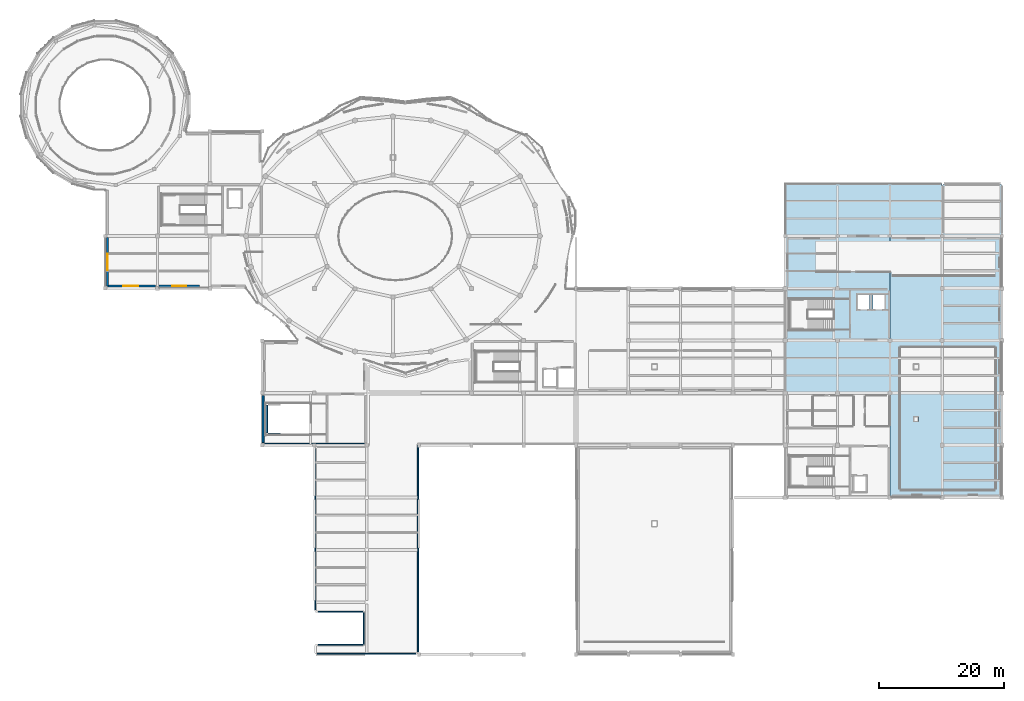
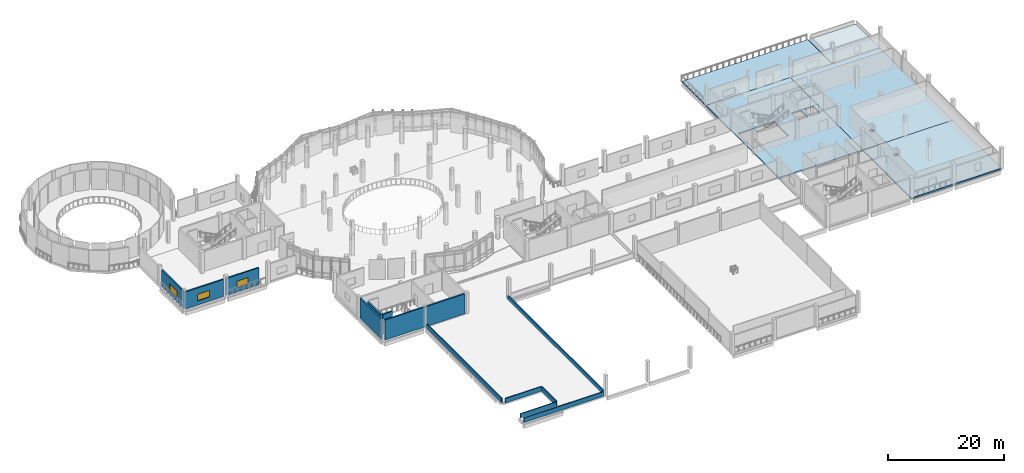
# One storey, part 26 of 46: 13 walls, 5 slabs, 3 windows, 3 openings.
"""IFC4 building model written with IfcOpenShell, lengths in metres."""

from ifc_helpers import new_model, si_unit, derived_unit, direction, frame, frame_2d, origin, place, context, subcontext, project, spatial, polyline, rectangle, outline, extrude, material, layer, layer_set, type_object, element, fill, save


model = new_model("IFC4")

# Units and contexts
model_context = context("Model", 3, precision=1e-05, world=origin(), true_north=direction((0.0, 1.0)))
body_context = subcontext(model_context, "Body", "Model", "MODEL_VIEW")
ifc_project = project(units=[si_unit("LENGTHUNIT", "METRE"), si_unit("AREAUNIT", "SQUARE_METRE"), si_unit("VOLUMEUNIT", "CUBIC_METRE"), si_unit("PLANEANGLEUNIT", "RADIAN"), si_unit("MASSUNIT", "GRAM", prefix="KILO"), derived_unit("THERMALTRANSMITTANCEUNIT", [(si_unit("POWERUNIT", "WATT"), 1), (si_unit("LENGTHUNIT", "METRE"), -2), (si_unit("THERMODYNAMICTEMPERATUREUNIT", "KELVIN"), -1)])], contexts=[model_context])

# Site, building, storey
site_placement = place(None, origin())
site = spatial("IfcSite", under=ifc_project, at=site_placement, CompositionType="ELEMENT")
building_placement = place(site_placement, origin())
building = spatial("IfcBuilding", under=site, at=building_placement, Name="Elbkamm Science Centre", CompositionType="ELEMENT")
storey_placement = place(building_placement, frame((0.0, 0.0, 9.89990234375)))
storey = spatial("IfcBuildingStorey", under=building, at=storey_placement, Name="L02", CompositionType="ELEMENT", Elevation=9.89990234375)

# Slabs
ifc_material_1 = material(Name="Exposed freeze-thaw concrete C40/50", Category="concrete")
ifc_layer_1 = layer(ifc_material_1, 0.219970703125)
ifc_layer_set_1 = layer_set([ifc_layer_1], Name="Exposed freeze-thaw concrete C40/50")
slab_type_1 = type_object("IfcSlabType", Name="SLAB-DECK-220", PredefinedType="FLOOR", material=ifc_layer_set_1)
slab_1_placement = place(storey_placement, frame((0.0, 0.0, -0.219970703125)))
element("IfcSlab", 1, at=slab_1_placement, inside=storey, type_object=slab_type_1, Name="North Laboratory Roof Terrace", PredefinedType="FLOOR", context=body_context, shape_type="SweptSolid", body=[
    extrude(outline(polyline([(151.199951171875, 75.60009765625), (151.199951171875, 67.205078125), (126.02490234375, 67.205078125), (126.02490234375, 75.60009765625), (151.199951171875, 75.60009765625)])), origin(), (0.0, 0.0, 1.0), 0.219970703125),
])
ifc_material_2 = material(Name="Reinforced concrete C40/50", Category="concrete")
ifc_layer_2 = layer(ifc_material_2, 0.300048828125)
ifc_layer_set_2 = layer_set([ifc_layer_2], Name="Reinforced concrete C40/50")
slab_type_2 = type_object("IfcSlabType", Name="SLAB-FLR-300", PredefinedType="FLOOR", material=ifc_layer_set_2)
slab_2_placement = place(storey_placement, frame((0.0, 0.0, -0.2998046875)))
element("IfcSlab", 2, at=slab_2_placement, inside=storey, type_object=slab_type_2, Name="L02 Structural Slab E1M-09", PredefinedType="FLOOR", context=body_context, shape_type="SweptSolid", body=[
    extrude(outline(polyline([(126.02490234375, 67.199951171875), (142.800048828125, 67.199951171875), (142.800048828125, 42.0), (126.02490234375, 42.0), (126.02490234375, 67.199951171875)]), holes=[polyline([(126.60009765625, 52.080078125), (133.780029296875, 52.080078125), (133.780029296875, 57.1201171875), (126.60009765625, 57.1201171875), (126.60009765625, 52.080078125)]), polyline([(137.64990234375, 55.39990234375), (139.550048828125, 55.39990234375), (139.550048828125, 57.800048828125), (137.64990234375, 57.800048828125), (137.64990234375, 55.39990234375)]), polyline([(140.050048828125, 57.800048828125), (140.050048828125, 55.39990234375), (141.949951171875, 55.39990234375), (141.949951171875, 57.800048828125), (140.050048828125, 57.800048828125)])]), origin(), (0.0, 0.0, 1.0), 0.2998046875),
])
slab_3_placement = place(storey_placement, frame((0.0, 0.0, -0.2998046875)))
element("IfcSlab", 3, at=slab_3_placement, inside=storey, type_object=slab_type_2, Name="L02 Structural Slab E2S-10", PredefinedType="FLOOR", context=body_context, shape_type="SweptSolid", body=[
    extrude(outline(polyline([(142.800048828125, 25.199951171875), (142.800048828125, 42.0), (160.800048828125, 42.0), (160.800048828125, 25.199951171875), (142.800048828125, 25.199951171875)]), holes=[polyline([(147.35009765625, 38.14990234375), (146.64990234375, 38.14990234375), (146.64990234375, 37.449951171875), (147.35009765625, 37.449951171875), (147.35009765625, 38.14990234375)])]), origin(), (0.0, 0.0, 1.0), 0.2998046875),
])
slab_4_placement = place(storey_placement, frame((0.0, 0.0, -0.2998046875)))
element("IfcSlab", 4, at=slab_4_placement, inside=storey, type_object=slab_type_2, Name="L02 Structural Slab E2M-11", PredefinedType="FLOOR", context=body_context, shape_type="SweptSolid", body=[
    extrude(outline(polyline([(142.800048828125, 42.0), (142.800048828125, 67.199951171875), (160.800048828125, 67.199951171875), (160.800048828125, 42.0), (142.800048828125, 42.0)]), holes=[polyline([(147.35009765625, 46.550048828125), (146.64990234375, 46.550048828125), (146.64990234375, 45.85009765625), (147.35009765625, 45.85009765625), (147.35009765625, 46.550048828125)])]), origin(), (0.0, 0.0, 1.0), 0.2998046875),
])
ifc_layer_3 = layer(ifc_material_2, 0.27001953125)
ifc_layer_set_3 = layer_set([ifc_layer_3], Name="Reinforced concrete C40/50")
slab_type_3 = type_object("IfcSlabType", Name="SLAB-ROOF-270", PredefinedType="ROOF", material=ifc_layer_set_3)
slab_5_placement = place(storey_placement, frame((0.0, 0.0, -0.27001953125)))
element("IfcSlab", 5, at=slab_5_placement, inside=storey, type_object=slab_type_3, Name="L02 Step-Back Roof Slab 04", PredefinedType="ROOF", context=body_context, shape_type="SweptSolid", body=[
    extrude(outline(polyline([(160.79150390625, 67.59228515625), (160.780517578125, 67.54931640625), (160.765625, 67.5078125), (160.746826171875, 67.468017578125), (160.72412109375, 67.429931640625), (160.697998046875, 67.39453125), (160.668212890625, 67.36181640625), (160.635498046875, 67.33203125), (160.60009765625, 67.305908203125), (160.56201171875, 67.283203125), (160.522216796875, 67.264404296875), (160.480712890625, 67.24951171875), (160.437744140625, 67.238525390625), (160.39404296875, 67.232177734375), (160.35009765625, 67.22998046875), (151.679931640625, 67.22998046875), (151.635986328125, 67.232177734375), (151.59228515625, 67.238525390625), (151.54931640625, 67.24951171875), (151.5078125, 67.264404296875), (151.468017578125, 67.283203125), (151.429931640625, 67.305908203125), (151.39453125, 67.33203125), (151.36181640625, 67.36181640625), (151.33203125, 67.39453125), (151.305908203125, 67.429931640625), (151.283203125, 67.468017578125), (151.264404296875, 67.5078125), (151.24951171875, 67.54931640625), (151.238525390625, 67.59228515625), (151.232177734375, 67.635986328125), (151.22998046875, 67.679931640625), (151.22998046875, 75.14990234375), (151.232177734375, 75.194091796875), (151.238525390625, 75.23779296875), (151.24951171875, 75.280517578125), (151.264404296875, 75.322265625), (151.283203125, 75.362060546875), (151.305908203125, 75.39990234375), (151.33203125, 75.435546875), (151.36181640625, 75.46826171875), (151.39453125, 75.497802734375), (151.429931640625, 75.524169921875), (151.468017578125, 75.546875), (151.5078125, 75.565673828125), (151.54931640625, 75.58056640625), (151.59228515625, 75.59130859375), (151.635986328125, 75.597900390625), (151.679931640625, 75.60009765625), (160.35009765625, 75.60009765625), (160.39404296875, 75.597900390625), (160.437744140625, 75.59130859375), (160.480712890625, 75.58056640625), (160.522216796875, 75.565673828125), (160.56201171875, 75.546875), (160.60009765625, 75.524169921875), (160.635498046875, 75.497802734375), (160.668212890625, 75.46826171875), (160.697998046875, 75.435546875), (160.72412109375, 75.39990234375), (160.746826171875, 75.362060546875), (160.765625, 75.322265625), (160.780517578125, 75.280517578125), (160.79150390625, 75.23779296875), (160.7978515625, 75.194091796875), (160.800048828125, 75.14990234375), (160.800048828125, 67.679931640625), (160.7978515625, 67.635986328125), (160.79150390625, 67.59228515625)])), origin(), (0.0, 0.0, 1.0), 0.27001953125),
])

# Walls
ifc_layer_4 = layer(ifc_material_2, 0.25)
ifc_layer_set_4 = layer_set([ifc_layer_4], Name="Reinforced concrete C40/50")
wall_type_1 = type_object("IfcWallType", Name="WL-CORE-250", PredefinedType="SHEAR", material=ifc_layer_set_4)
wall_1_placement = place(storey_placement, frame((42.739990234375, 35.6201171875, 0.0), z_axis=(0.0, 0.0, 1.0), x_axis=(0.0, 1.0, 0.0)))
element("IfcWall", 6, at=wall_1_placement, inside=storey, type_object=wall_type_1, Name="L02 ST-C5 Shaft Bearing Wall W", PredefinedType="SHEAR", context=body_context, shape_type="SweptSolid", body=[
    extrude(rectangle(XDim=4.35986328125, YDim=0.25, at=frame_2d((2.179931640625, 0.0))), origin(), (0.0, 0.0, 1.0), 4.22998046875),
])
wall_2_placement = place(storey_placement, frame((42.989990234375, 35.419921875, 0.0), z_axis=(0.0, 0.0, 1.0), x_axis=(1.0, 0.0, 0.0)))
element("IfcWall", 7, at=wall_2_placement, inside=storey, type_object=wall_type_1, Name="L02 ST-C5 Shaft Bearing Wall S", PredefinedType="SHEAR", context=body_context, shape_type="SweptSolid", body=[
    extrude(rectangle(XDim=1.889892578125, YDim=0.25, at=frame_2d((0.94482421875, 0.0))), origin(), (0.0, 0.0, 1.0), 4.22998046875),
])
ifc_layer_5 = layer(ifc_material_2, 0.300048828125)
ifc_layer_set_5 = layer_set([ifc_layer_5], Name="Reinforced concrete C40/50")
wall_type_2 = type_object("IfcWallType", Name="WL-CORE-300", PredefinedType="SHEAR", material=ifc_layer_set_5)
wall_3_placement = place(storey_placement, frame((42.419921875, 33.75, 0.0), z_axis=(0.0, 0.0, 1.0), x_axis=(1.0, 0.0, 0.0)))
element("IfcWall", 8, at=wall_3_placement, inside=storey, type_object=wall_type_2, Name="L02 Core C5 Southwest Plinth Assembly Egress Core Shear Wall S", PredefinedType="SHEAR", context=body_context, shape_type="SweptSolid", body=[
    extrude(rectangle(XDim=15.9599609375, YDim=0.300048828125, at=frame_2d((7.97998046875, 0.0))), origin(), (0.0, 0.0, 1.0), 4.22998046875),
])
wall_4_placement = place(storey_placement, frame((42.14990234375, 34.02001953125, 0.0), z_axis=(0.0, 0.0, 1.0), x_axis=(0.0, 1.0, 0.0)))
element("IfcWall", 9, at=wall_4_placement, inside=storey, type_object=wall_type_2, Name="L02 Core C5 Southwest Plinth Assembly Egress Core Shear Wall W", PredefinedType="SHEAR", context=body_context, shape_type="SweptSolid", body=[
    extrude(rectangle(XDim=7.56005859375, YDim=0.300048828125, at=frame_2d((3.780029296875, 0.0))), origin(), (0.0, 0.0, 1.0), 4.22998046875),
])

# Wall, opening, window
ifc_material_3 = material(Name="White precast concrete C40/50", Category="concrete")
ifc_layer_6 = layer(ifc_material_3, 0.27001953125)
ifc_layer_set_6 = layer_set([ifc_layer_6], Name="White precast concrete C40/50")
wall_type_3 = type_object("IfcWallType", Name="WL-EXT-270", PredefinedType="SOLIDWALL", material=ifc_layer_set_6)
wall_5_placement = place(storey_placement, frame((31.93115234375, 59.179931640625, 0.0), z_axis=(0.0, 0.0, 1.0), x_axis=(-1.0, 0.0, 0.0)))
wall_5 = element("IfcWall", 10, at=wall_5_placement, inside=storey, type_object=wall_type_3, Name="L02 Exterior Wall 0251", PredefinedType="SOLIDWALL", context=body_context, shape_type="SweptSolid", body=[
    extrude(rectangle(XDim=6.491943359375, YDim=0.27001953125, at=frame_2d((3.24609375, 0.0))), origin(), (0.0, 0.0, 1.0), 3.570068359375),
])
opening_1_placement = place(wall_5_placement, frame((2.14599609375, 0.0, 0.85009765625)))
opening_1 = element("IfcOpeningElement", 11, at=opening_1_placement, cuts=wall_5, Name="Opening W-06", PredefinedType="OPENING", context=body_context, shape_type="SweptSolid", body=[
    extrude(rectangle(XDim=2.199951171875, YDim=1.39990234375, at=frame_2d((1.10009765625, 0.699951171875))), frame((0.0, 0.14697265625, 0.0), z_axis=(0.0, -1.0, 0.0), x_axis=(1.0, 0.0, 0.0)), (0.0, 0.0, 1.0), 0.2939453125),
])
ifc_material_4 = material(Name="Thermally broken aluminium and triple solar glass", Category="aluminium")
ifc_layer_7 = layer(ifc_material_4, 0.06005859375)
ifc_layer_set_7 = layer_set([ifc_layer_7], Name="Thermally broken aluminium and triple solar glass")
window_type_1 = type_object("IfcWindowType", Name="WIN-2200x1400", PartitioningType="DOUBLE_PANEL_VERTICAL", PredefinedType="WINDOW", material=ifc_layer_set_7)
window_1_placement = place(opening_1_placement, origin())
window_1 = element("IfcWindow", 12, at=window_1_placement, inside=storey, type_object=window_type_1, Name="L02 Facade Window 0065", OverallHeight=1.39990234375, OverallWidth=2.199951171875, PartitioningType="SINGLE_PANEL", PredefinedType="WINDOW", context=body_context, shape_type="SweptSolid", body=[
    extrude(rectangle(XDim=2.199951171875, YDim=1.39990234375, at=frame_2d((1.10009765625, 0.699951171875))), frame((0.0, 0.030029296875, 0.0), z_axis=(0.0, -1.0, 0.0), x_axis=(1.0, 0.0, 0.0)), (0.0, 0.0, 1.0), 0.06005859375),
])
fill(opening_1, window_1)

wall_6_placement = place(storey_placement, frame((17.179931640625, 59.179931640625, 0.0), z_axis=(0.0, 0.0, 1.0), x_axis=(0.0, 1.0, 0.0)))
wall_6 = element("IfcWall", 13, at=wall_6_placement, inside=storey, type_object=wall_type_3, Name="L02 Exterior Wall 0253", PredefinedType="SOLIDWALL", context=body_context, shape_type="SweptSolid", body=[
    extrude(rectangle(XDim=7.7431640625, YDim=0.27001953125, at=frame_2d((3.87158203125, 0.0))), origin(), (0.0, 0.0, 1.0), 3.580078125),
])
opening_2_placement = place(wall_6_placement, frame((2.53466796875, 0.0, 0.85009765625)))
opening_2 = element("IfcOpeningElement", 14, at=opening_2_placement, cuts=wall_6, Name="Opening W-08", PredefinedType="OPENING", context=body_context, shape_type="SweptSolid", body=[
    extrude(rectangle(XDim=2.60009765625, YDim=1.39990234375, at=frame_2d((1.300048828125, 0.699951171875))), frame((0.0, 0.14697265625, 0.0), z_axis=(0.0, -1.0, 0.0), x_axis=(1.0, 0.0, 0.0)), (0.0, 0.0, 1.0), 0.2939453125),
])
ifc_layer_8 = layer(ifc_material_4, 0.06005859375)
ifc_layer_set_8 = layer_set([ifc_layer_8], Name="Thermally broken aluminium and triple solar glass")
window_type_2 = type_object("IfcWindowType", Name="WIN-2600x1400", PartitioningType="DOUBLE_PANEL_VERTICAL", PredefinedType="WINDOW", material=ifc_layer_set_8)
window_2_placement = place(opening_2_placement, origin())
window_2 = element("IfcWindow", 15, at=window_2_placement, inside=storey, type_object=window_type_2, Name="L02 Facade Window 0067", OverallHeight=1.39990234375, OverallWidth=2.60009765625, PartitioningType="SINGLE_PANEL", PredefinedType="WINDOW", context=body_context, shape_type="SweptSolid", body=[
    extrude(rectangle(XDim=2.60009765625, YDim=1.39990234375, at=frame_2d((1.300048828125, 0.699951171875))), frame((0.0, 0.030029296875, 0.0), z_axis=(0.0, -1.0, 0.0), x_axis=(1.0, 0.0, 0.0)), (0.0, 0.0, 1.0), 0.06005859375),
])
fill(opening_2, window_2)

ifc_layer_9 = layer(ifc_material_3, 0.2900390625)
ifc_layer_set_9 = layer_set([ifc_layer_9], Name="White precast concrete C40/50")
wall_type_4 = type_object("IfcWallType", Name="WL-EXT-290", PredefinedType="SOLIDWALL", material=ifc_layer_set_9)
wall_7_placement = place(storey_placement, frame((24.873046875, 59.179931640625, 0.0), z_axis=(0.0, 0.0, 1.0), x_axis=(-1.0, 0.0, 0.0)))
wall_7 = element("IfcWall", 16, at=wall_7_placement, inside=storey, type_object=wall_type_4, Name="L02 Exterior Wall 0252", PredefinedType="SOLIDWALL", context=body_context, shape_type="SweptSolid", body=[
    extrude(rectangle(XDim=7.693115234375, YDim=0.2900390625, at=frame_2d((3.8466796875, 0.0))), origin(), (0.0, 0.0, 1.0), 3.580078125),
])
opening_3_placement = place(wall_7_placement, frame((2.80517578125, 0.0, 0.85009765625)))
opening_3 = element("IfcOpeningElement", 17, at=opening_3_placement, cuts=wall_7, Name="Opening W-07", PredefinedType="OPENING", context=body_context, shape_type="SweptSolid", body=[
    extrude(rectangle(XDim=2.39990234375, YDim=1.39990234375, at=frame_2d((1.199951171875, 0.699951171875))), frame((0.0, 0.156982421875, 0.0), z_axis=(0.0, -1.0, 0.0), x_axis=(1.0, 0.0, 0.0)), (0.0, 0.0, 1.0), 0.31396484375),
])
ifc_layer_10 = layer(ifc_material_4, 0.06005859375)
ifc_layer_set_10 = layer_set([ifc_layer_10], Name="Thermally broken aluminium and triple solar glass")
window_type_3 = type_object("IfcWindowType", Name="WIN-2400x1400", PartitioningType="DOUBLE_PANEL_VERTICAL", PredefinedType="WINDOW", material=ifc_layer_set_10)
window_3_placement = place(opening_3_placement, origin())
window_3 = element("IfcWindow", 18, at=window_3_placement, inside=storey, type_object=window_type_3, Name="L02 Facade Window 0066", OverallHeight=1.39990234375, OverallWidth=2.39990234375, PartitioningType="SINGLE_PANEL", PredefinedType="WINDOW", context=body_context, shape_type="SweptSolid", body=[
    extrude(rectangle(XDim=2.39990234375, YDim=1.39990234375, at=frame_2d((1.199951171875, 0.699951171875))), frame((0.0, 0.030029296875, 0.0), z_axis=(0.0, -1.0, 0.0), x_axis=(1.0, 0.0, 0.0)), (0.0, 0.0, 1.0), 0.06005859375),
])
fill(opening_3, window_3)

# Walls
ifc_layer_11 = layer(ifc_material_3, 0.18994140625)
ifc_layer_set_11 = layer_set([ifc_layer_11], Name="White precast concrete C40/50")
wall_type_5 = type_object("IfcWallType", Name="WL-PAR-190", PredefinedType="PARAPET", material=ifc_layer_set_11)
for number, where, z_axis, x_axis, name in (
    (19, (51.0, 1.5400390625, 0.0), (0.0, 0.0, 1.0), (1.0, 0.0, 0.0), "L02 Roof Parapet Wall 031"),
    (20, (58.179931640625, 6.860107421875, 0.0), (0.0, 0.0, 1.0), (-1.0, 0.0, 0.0), "L02 Roof Parapet Wall 033"),
):
    element("IfcWall", number, at=place(storey_placement, frame(where, z_axis=z_axis, x_axis=x_axis)), inside=storey, type_object=wall_type_5, Name=name, PredefinedType="PARAPET", context=body_context, shape_type="SweptSolid", body=[
        extrude(rectangle(XDim=7.179931640625, YDim=0.18994140625, at=frame_2d((3.58984375, 0.0))), origin(), (0.0, 0.0, 1.0), 0.9501953125),
    ])
wall_8_placement = place(storey_placement, frame((66.696533203125, 0.139892578125, 0.0), z_axis=(0.0, 0.0, 1.0), x_axis=(-1.0, 0.0, 0.0)))
element("IfcWall", 21, at=wall_8_placement, inside=storey, type_object=wall_type_5, Name="L02 Roof Parapet Wall 037", PredefinedType="PARAPET", context=body_context, shape_type="SweptSolid", body=[
    extrude(rectangle(XDim=15.843017578125, YDim=0.18994140625, at=frame_2d((7.92138671875, 0.0))), origin(), (0.0, 0.0, 1.0), 0.9501953125),
])
ifc_layer_12 = layer(ifc_material_3, 0.2099609375)
ifc_layer_set_12 = layer_set([ifc_layer_12], Name="White precast concrete C40/50")
wall_type_6 = type_object("IfcWallType", Name="WL-PAR-210", PredefinedType="PARAPET", material=ifc_layer_set_12)
wall_9_placement = place(storey_placement, frame((58.320068359375, 1.679931640625, 0.0), z_axis=(0.0, 0.0, 1.0), x_axis=(0.0, 1.0, 0.0)))
element("IfcWall", 22, at=wall_9_placement, inside=storey, type_object=wall_type_6, Name="L02 Roof Parapet Wall 032", PredefinedType="PARAPET", context=body_context, shape_type="SweptSolid", body=[
    extrude(rectangle(XDim=5.0400390625, YDim=0.2099609375, at=frame_2d((2.52001953125, 0.0))), origin(), (0.0, 0.0, 1.0), 0.9501953125),
])
wall_10_placement = place(storey_placement, frame((50.5400390625, 7.147216796875, 0.0), z_axis=(0.0, 0.0, 1.0), x_axis=(0.0, 1.0, 0.0)))
element("IfcWall", 23, at=wall_10_placement, inside=storey, type_object=wall_type_6, Name="L02 Roof Parapet Wall 034", PredefinedType="PARAPET", context=body_context, shape_type="SweptSolid", body=[
    extrude(rectangle(XDim=25.899169921875, YDim=0.2099609375, at=frame_2d((12.94970703125, 0.0))), origin(), (0.0, 0.0, 1.0), 0.9501953125),
])
wall_11_placement = place(storey_placement, frame((67.010009765625, 33.60009765625, 0.0), z_axis=(0.0, 0.0, 1.0), x_axis=(0.0, -1.0, 0.0)))
element("IfcWall", 24, at=wall_11_placement, inside=storey, type_object=wall_type_6, Name="L02 Roof Parapet Wall 036", PredefinedType="PARAPET", context=body_context, shape_type="SweptSolid", body=[
    extrude(rectangle(XDim=33.146484375, YDim=0.2099609375, at=frame_2d((16.5732421875, 0.0))), origin(), (0.0, 0.0, 1.0), 0.9501953125),
])

save(model, "model.ifc")
